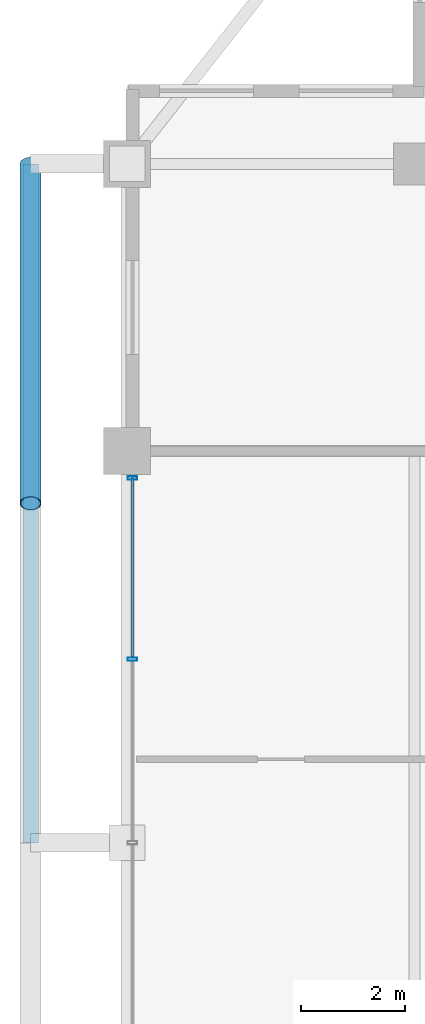
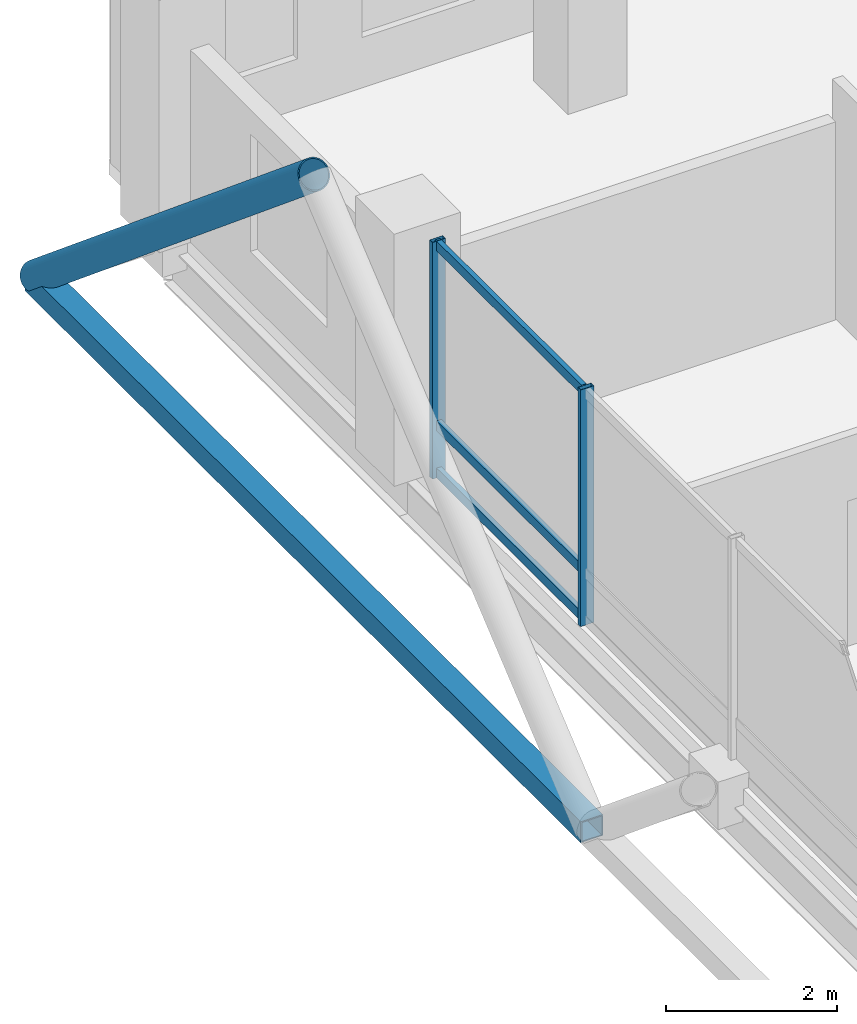
# One storey, part 10 of 24: 7 members, 1 element without a shape of its own.
"""IFC4 building model written with IfcOpenShell, lengths in metres."""

from ifc_helpers import new_model, si_unit, direction, frame, origin, origin_2d, place, context, subcontext, project, spatial, hollow_rectangle, hollow_circle, extrude, material, layer, layer_set, material_profile, profile_set, type_object, element, aggregate, save


model = new_model("IFC4")

# Units and contexts
model_context = context("Model", 3, precision=1e-05, world=origin(), true_north=direction((0.0, 1.0)))
body_context = subcontext(model_context, "Body", "Model", "MODEL_VIEW")
ifc_project = project(units=[si_unit("LENGTHUNIT", "METRE"), si_unit("AREAUNIT", "SQUARE_METRE"), si_unit("VOLUMEUNIT", "CUBIC_METRE"), si_unit("PLANEANGLEUNIT", "RADIAN"), si_unit("MASSUNIT", "GRAM", prefix="KILO")], contexts=[model_context])

# Site, building, storey
site_placement = place(None, origin())
site = spatial("IfcSite", under=ifc_project, at=site_placement, CompositionType="ELEMENT")
building_placement = place(site_placement, origin())
building = spatial("IfcBuilding", under=site, at=building_placement, Name="Barlavira Tower and Art Museum", CompositionType="ELEMENT")
storey_placement = place(building_placement, frame((0.0, 0.0, 294.300048828125)))
storey = spatial("IfcBuildingStorey", under=building, at=storey_placement, Name="L77", CompositionType="ELEMENT", Elevation=294.300048828125)

# Curtain wall, members
ifc_material_1 = material(Name="Low-iron coastal laminated glass", Category="glass")
ifc_layer = layer(ifc_material_1, 0.2099609375, Name="Low-iron coastal laminated glass")
ifc_layer_set = layer_set([ifc_layer], Name="Low-iron coastal laminated glass")
curtain_wall_type = type_object("IfcCurtainWallType", Name="Pale-Metal Unitised Curtain Wall Zone 4", PredefinedType="NOTDEFINED", material=ifc_layer_set)
curtain_wall_placement = place(storey_placement, origin())
curtain_wall = element("IfcCurtainWall", 1, at=curtain_wall_placement, inside=storey, type_object=curtain_wall_type, Name="L77 Curtain Wall CW4-L77-W-B3", PredefinedType="NOTDEFINED")
ifc_material_2 = material(Name="Pale anodised aluminium", Category="aluminium")
ifc_material_profile_1 = material_profile(ifc_material_2, hollow_rectangle(XDim=0.06494140625, YDim=0.179931640625, WallThickness=0.00390625, at=origin_2d()), Name="ALU-MULL 65x180x4")
ifc_profile_set_1 = profile_set([ifc_material_profile_1], Name="Pale anodised aluminium")
member_type_1 = type_object("IfcMemberType", Name="Curtain Wall Pale-Metal Mullion 65x180", PredefinedType="MULLION", material=ifc_profile_set_1)
member_1_placement = place(storey_placement, frame((-16.89990234375, 6.985107421875, 0.0), z_axis=(0.0, 0.0, 1.0), x_axis=(0.0, -1.0, 0.0)))
member_1 = element("IfcMember", 2, at=member_1_placement, type_object=member_type_1, Name="CW4-L77-W-B3 Mullion 0", PredefinedType="MULLION", context=body_context, shape_type="SweptSolid", body=[
    extrude(hollow_rectangle(XDim=0.06494140625, YDim=0.179931640625, WallThickness=0.00390625, at=origin_2d()), origin(), (0.0, 0.0, 1.0), 3.3798828125),
])
member_2_placement = place(storey_placement, frame((-16.89990234375, 3.514892578125, 0.0), z_axis=(0.0, 0.0, 1.0), x_axis=(0.0, -1.0, 0.0)))
member_2 = element("IfcMember", 3, at=member_2_placement, type_object=member_type_1, Name="CW4-L77-W-B3 Mullion 1", PredefinedType="MULLION", context=body_context, shape_type="SweptSolid", body=[
    extrude(hollow_rectangle(XDim=0.06494140625, YDim=0.179931640625, WallThickness=0.00390625, at=origin_2d()), origin(), (0.0, 0.0, 1.0), 3.3798828125),
])
ifc_material_profile_2 = material_profile(ifc_material_2, hollow_rectangle(XDim=0.06494140625, YDim=0.139892578125, WallThickness=0.00390625, at=origin_2d()), Name="ALU-TRAN 65x140x4")
ifc_profile_set_2 = profile_set([ifc_material_profile_2], Name="Pale anodised aluminium")
member_type_2 = type_object("IfcMemberType", Name="Curtain Wall Pale-Metal Transom 65x140", PredefinedType="USERDEFINED", material=ifc_profile_set_2)
member_3_placement = place(storey_placement, frame((-16.89990234375, 6.985107421875, 0.070068359375), z_axis=(0.0, -1.0, 0.0), x_axis=(1.0, 0.0, 0.0)))
member_3 = element("IfcMember", 4, at=member_3_placement, type_object=member_type_2, Name="CW4-L77-W-B3 Transom 0.1", ObjectType="TRANSOM", PredefinedType="USERDEFINED", context=body_context, shape_type="SweptSolid", body=[
    extrude(hollow_rectangle(XDim=0.06494140625, YDim=0.139892578125, WallThickness=0.00390625, at=origin_2d()), origin(), (0.0, 0.0, 1.0), 3.425048828125),
])
member_4_placement = place(storey_placement, frame((-16.89990234375, 6.985107421875, 0.743896484375), z_axis=(0.0, -1.0, 0.0), x_axis=(1.0, 0.0, 0.0)))
member_4 = element("IfcMember", 5, at=member_4_placement, type_object=member_type_2, Name="CW4-L77-W-B3 Transom 0.2", ObjectType="TRANSOM", PredefinedType="USERDEFINED", context=body_context, shape_type="SweptSolid", body=[
    extrude(hollow_rectangle(XDim=0.06494140625, YDim=0.139892578125, WallThickness=0.00390625, at=origin_2d()), origin(), (0.0, 0.0, 1.0), 3.425048828125),
])
member_5_placement = place(storey_placement, frame((-16.89990234375, 6.985107421875, 3.31005859375), z_axis=(0.0, -1.0, 0.0), x_axis=(1.0, 0.0, 0.0)))
member_5 = element("IfcMember", 6, at=member_5_placement, type_object=member_type_2, Name="CW4-L77-W-B3 Transom 0.3", ObjectType="TRANSOM", PredefinedType="USERDEFINED", context=body_context, shape_type="SweptSolid", body=[
    extrude(hollow_rectangle(XDim=0.06494140625, YDim=0.139892578125, WallThickness=0.00390625, at=origin_2d()), origin(), (0.0, 0.0, 1.0), 3.425048828125),
])
aggregate(curtain_wall, [member_1, member_2, member_3, member_4, member_5])

# Members
ifc_material_3 = material(Name="Steel S355", Category="steel")
ifc_material_profile_3 = material_profile(ifc_material_3, hollow_circle(Radius=0.203125, WallThickness=0.01611328125, at=origin_2d()), Name="CHS 406.4x16.0")
ifc_profile_set_3 = profile_set([ifc_material_profile_3], Name="Steel S355")
member_type_3 = type_object("IfcMemberType", Name="Pale-Metal Exoskeleton Diagrid Tube CHS 406x16 Steel S355", PredefinedType="BRACE", material=ifc_profile_set_3)
member_6_placement = place(storey_placement, frame((-18.85009765625, 13.0, -0.1201171875), z_axis=(0.0, -0.76918185268, 0.639029950399), x_axis=(1.0, 0.0, 0.0)))
element("IfcMember", 7, at=member_6_placement, inside=storey, type_object=member_type_3, Name="L77 Exoskeleton Diagrid Tube W", PredefinedType="BRACE", context=body_context, shape_type="SweptSolid", body=[
    extrude(hollow_circle(Radius=0.203125, WallThickness=0.01611328125, at=origin_2d()), origin(), (0.0, 0.0, 1.0), 8.450439453125),
])
ifc_material_profile_4 = material_profile(ifc_material_3, hollow_rectangle(XDim=0.300048828125, YDim=0.300048828125, WallThickness=0.01611328125, at=origin_2d()), Name="SHS 300x300x16.0")
ifc_profile_set_4 = profile_set([ifc_material_profile_4], Name="Steel S355")
member_type_4 = type_object("IfcMemberType", Name="Pale-Metal Upper Ring Strut SHS 300x300x16 Steel S355", PredefinedType="STRUT", material=ifc_profile_set_4)
member_7_placement = place(storey_placement, frame((-18.85009765625, 0.0, -0.1201171875), z_axis=(0.0, 1.0, 0.0), x_axis=(-1.0, 0.0, 0.0)))
element("IfcMember", 8, at=member_7_placement, inside=storey, type_object=member_type_4, Name="L77 Exoskeleton Ring Strut W", PredefinedType="STRUT", context=body_context, shape_type="SweptSolid", body=[
    extrude(hollow_rectangle(XDim=0.300048828125, YDim=0.300048828125, WallThickness=0.01611328125, at=origin_2d()), origin(), (0.0, 0.0, 1.0), 13.0),
])

save(model, "model.ifc")
